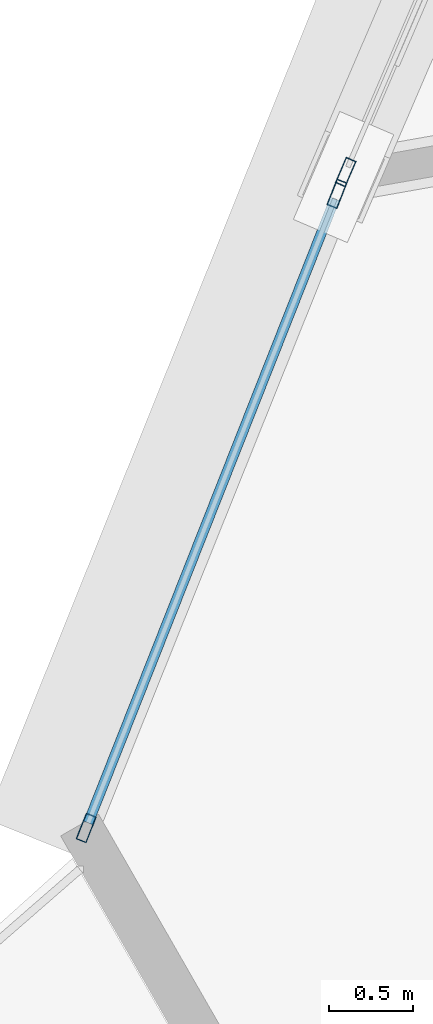
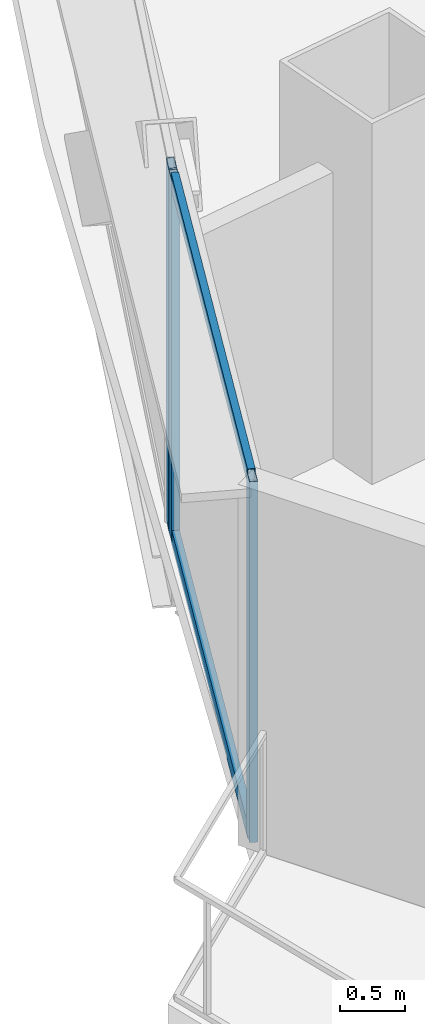
# One storey, part 4 of 38: 5 members, 2 elements without a shape of their own.
"""IFC4 building model written with IfcOpenShell, lengths in metres."""

from ifc_helpers import new_model, si_unit, direction, frame, origin, origin_2d, place, context, subcontext, project, spatial, hollow_rectangle, extrude, source, transform, mapped, material, layer, layer_set, material_profile, profile_set, type_object, element, aggregate, save


model = new_model("IFC4")

# Units and contexts
model_context = context("Model", 3, precision=1e-05, world=origin(), true_north=direction((0.0, 1.0)))
body_context = subcontext(model_context, "Body", "Model", "MODEL_VIEW")
ifc_project = project(units=[si_unit("LENGTHUNIT", "METRE"), si_unit("AREAUNIT", "SQUARE_METRE"), si_unit("VOLUMEUNIT", "CUBIC_METRE"), si_unit("PLANEANGLEUNIT", "RADIAN"), si_unit("MASSUNIT", "GRAM", prefix="KILO"), si_unit("THERMODYNAMICTEMPERATUREUNIT", "KELVIN"), si_unit("POWERUNIT", "WATT")], contexts=[model_context])

# Site, building, storey
site_placement = place(None, origin())
site = spatial("IfcSite", under=ifc_project, at=site_placement, CompositionType="ELEMENT")
building_placement = place(site_placement, origin())
building = spatial("IfcBuilding", under=site, at=building_placement, Name="Yunzhuo Pagoda Commons", CompositionType="ELEMENT")
storey_placement = place(building_placement, frame((0.0, 0.0, 30.39990234375)))
storey = spatial("IfcBuildingStorey", under=building, at=storey_placement, Name="L07", CompositionType="ELEMENT", Elevation=30.39990234375)

# Curtain wall, member
ifc_material = material(Name="Anodized aluminium 6063-T6", Category="aluminium")
ifc_layer = layer(ifc_material, 0.1650390625)
ifc_layer_set = layer_set([ifc_layer], Name="Anodized aluminium 6063-T6")
curtain_wall_type = type_object("IfcCurtainWallType", Name="CW-LOW Low-Zone Ribbon Curtain Wall", PredefinedType="NOTDEFINED", material=ifc_layer_set)
curtain_wall_1_placement = place(storey_placement, origin())
curtain_wall_1 = element("IfcCurtainWall", 1, at=curtain_wall_1_placement, inside=storey, type_object=curtain_wall_type, Name="L07 curtain wall CW-L07-F3B4", PredefinedType="NOTDEFINED")
ifc_material_profile_1 = material_profile(ifc_material, hollow_rectangle(XDim=0.06494140625, YDim=0.1650390625, WallThickness=0.00390625, at=origin_2d()), Name="Anodized aluminium 6063-T6")
ifc_profile_set_1 = profile_set([ifc_material_profile_1], Name="Anodized aluminium 6063-T6")
member_type_1 = type_object("IfcMemberType", Name="CW-LOW-M Mullion RHS 165x65x4", PredefinedType="MULLION", material=ifc_profile_set_1)
shared_shape_1 = source(origin(), body_context, "Body", "SweptSolid", [
    extrude(hollow_rectangle(XDim=0.06494140625, YDim=0.1650390625, WallThickness=0.00390625, at=origin_2d()), origin(), (0.0, 0.0, 1.0), 3.370361328125),
])
member_1_placement = place(storey_placement, frame((5.91455078125, 26.306640625, 0.0), z_axis=(0.0, 0.0, 1.0), x_axis=(0.918745212535, -0.394850901535, 0.0)))
member_1 = element("IfcMember", 2, at=member_1_placement, type_object=member_type_1, Name="CW mullion 2", PredefinedType="MULLION", context=body_context, shape_type="MappedRepresentation", body=[
    mapped(shared_shape_1, transform((0.0, 0.0, 0.0), scale=1.0)),
])
aggregate(curtain_wall_1, [member_1])

# Curtain wall, members
curtain_wall_2_placement = place(storey_placement, origin())
curtain_wall_2 = element("IfcCurtainWall", 3, at=curtain_wall_2_placement, inside=storey, type_object=curtain_wall_type, Name="L07 curtain wall CW-L07-F3B5", PredefinedType="NOTDEFINED")
member_2_placement = place(storey_placement, frame((5.8623046875, 26.177001953125, 0.0), z_axis=(0.0, 0.0, 1.0), x_axis=(0.929958215398, -0.367665224919, 0.0)))
member_2 = element("IfcMember", 4, at=member_2_placement, type_object=member_type_1, Name="CW mullion 1", PredefinedType="MULLION", context=body_context, shape_type="MappedRepresentation", body=[
    mapped(shared_shape_1, transform((0.0, 0.0, 0.0), scale=1.0)),
])
member_3_placement = place(storey_placement, frame((4.36865234375, 22.399658203125, 0.0), z_axis=(0.0, 0.0, 1.0), x_axis=(0.929958215398, -0.367665224919, 0.0)))
member_3 = element("IfcMember", 5, at=member_3_placement, type_object=member_type_1, Name="CW mullion 2", PredefinedType="MULLION", context=body_context, shape_type="MappedRepresentation", body=[
    mapped(shared_shape_1, transform((0.0, 0.0, 0.0), scale=1.0)),
])
ifc_material_profile_2 = material_profile(ifc_material, hollow_rectangle(XDim=0.06005859375, YDim=0.139892578125, WallThickness=0.00341796875, at=origin_2d()), Name="Anodized aluminium 6063-T6")
ifc_profile_set_2 = profile_set([ifc_material_profile_2], Name="Anodized aluminium 6063-T6")
member_type_2 = type_object("IfcMemberType", Name="CW-LOW-T Transom RHS 140x60x3.5", PredefinedType="USERDEFINED", material=ifc_profile_set_2)
shared_shape_2 = source(origin(), body_context, "Body", "SweptSolid", [
    extrude(hollow_rectangle(XDim=0.06005859375, YDim=0.139892578125, WallThickness=0.00341796875, at=origin_2d()), origin(), (0.0, 0.0, 1.0), 3.9970703125),
])
member_4_placement = place(storey_placement, frame((5.85009765625, 26.14697265625, 0.030029296875), z_axis=(-0.36764906147, -0.929964605563, 0.0), x_axis=(0.929964605563, -0.36764906147, 0.0)))
member_4 = element("IfcMember", 6, at=member_4_placement, type_object=member_type_2, Name="CW transom 1.1", ObjectType="TRANSOM", PredefinedType="USERDEFINED", context=body_context, shape_type="MappedRepresentation", body=[
    mapped(shared_shape_2, transform((0.0, 0.0, 0.0), scale=1.0)),
])
member_5_placement = place(storey_placement, frame((5.85009765625, 26.14697265625, 3.340087890625), z_axis=(-0.36764906147, -0.929964605563, 0.0), x_axis=(0.929964605563, -0.36764906147, 0.0)))
member_5 = element("IfcMember", 7, at=member_5_placement, type_object=member_type_2, Name="CW transom 1.2", ObjectType="TRANSOM", PredefinedType="USERDEFINED", context=body_context, shape_type="MappedRepresentation", body=[
    mapped(shared_shape_2, transform((0.0, 0.0, 0.0), scale=1.0)),
])
aggregate(curtain_wall_2, [member_2, member_3, member_4, member_5])

save(model, "model.ifc")
